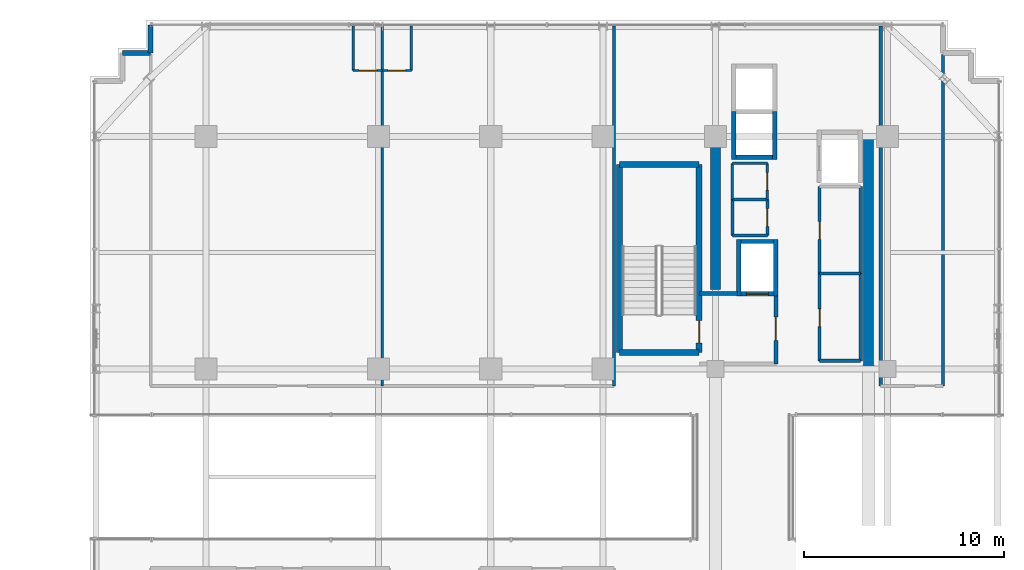
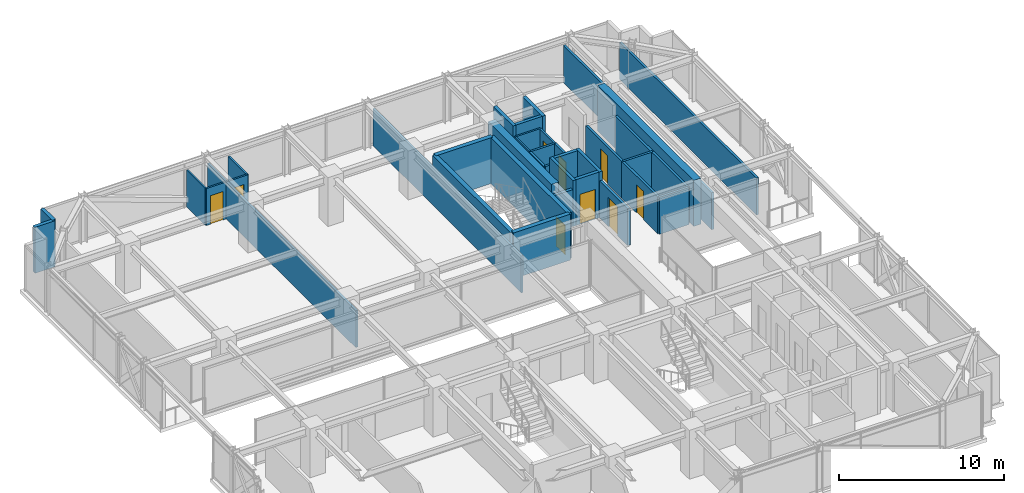
# One storey, part 30 of 35: 38 walls, 9 doors, 9 openings.
"""IFC4 building model written with IfcOpenShell, lengths in metres."""

from ifc_helpers import new_model, si_unit, direction, frame, frame_2d, origin, place, context, subcontext, project, spatial, rectangle, extrude, source, transform, mapped, material, layer, layer_set, type_object, element, fill, save


model = new_model("IFC4")

# Units and contexts
model_context = context("Model", 3, precision=1e-05, world=origin(), true_north=direction((0.0, 1.0)))
body_context = subcontext(model_context, "Body", "Model", "MODEL_VIEW")
ifc_project = project(units=[si_unit("LENGTHUNIT", "METRE"), si_unit("AREAUNIT", "SQUARE_METRE"), si_unit("VOLUMEUNIT", "CUBIC_METRE"), si_unit("PLANEANGLEUNIT", "RADIAN"), si_unit("MASSUNIT", "GRAM", prefix="KILO")], contexts=[model_context])

# Site, building, storey
site_placement = place(None, origin())
site = spatial("IfcSite", under=ifc_project, at=site_placement, CompositionType="ELEMENT")
building_placement = place(site_placement, origin())
building = spatial("IfcBuilding", under=site, at=building_placement, Name="Nahalor Promenade Grand Hotel", CompositionType="ELEMENT")
storey_placement = place(building_placement, frame((0.0, 0.0, 185.5)))
storey = spatial("IfcBuildingStorey", under=building, at=storey_placement, Name="L47", CompositionType="ELEMENT", Elevation=185.5)

# Walls
ifc_material_1 = material(Name="Concrete B-60 (C50/60)", Category="concrete")
ifc_layer_1 = layer(ifc_material_1, 0.5)
ifc_layer_set_1 = layer_set([ifc_layer_1], Name="Concrete B-60 (C50/60)")
wall_type_1 = type_object("IfcWallType", Name="Wall-CoreShear-500", PredefinedType="SHEAR", material=ifc_layer_set_1)
shared_shape_1 = source(origin(), body_context, "Body", "SweptSolid", [
    extrude(rectangle(XDim=7.64990234375, YDim=0.5, at=frame_2d((3.824951171875, 0.0))), origin(), (0.0, 0.0, 1.0), 3.389892578125),
])
wall_1_placement = place(storey_placement, frame((8.39990234375, 9.35009765625, 0.0), z_axis=(0.0, 0.0, 1.0), x_axis=(0.0, 1.0, 0.0)))
element("IfcWall", 1, at=wall_1_placement, inside=storey, type_object=wall_type_1, Name="CWALL-L47-NW", PredefinedType="SHEAR", context=body_context, shape_type="MappedRepresentation", body=[
    mapped(shared_shape_1, transform((0.0, 0.0, 0.0), scale=1.0)),
])
shared_shape_2 = source(origin(), body_context, "Body", "SweptSolid", [
    extrude(rectangle(XDim=11.60009765625, YDim=0.5, at=frame_2d((5.800048828125, 0.0))), origin(), (0.0, 0.0, 1.0), 3.389892578125),
])
wall_2_placement = place(storey_placement, frame((16.050048828125, 5.39990234375, 0.0), z_axis=(0.0, 0.0, 1.0), x_axis=(0.0, 1.0, 0.0)))
element("IfcWall", 2, at=wall_2_placement, inside=storey, type_object=wall_type_1, Name="CWALL-L47-NE", PredefinedType="SHEAR", context=body_context, shape_type="MappedRepresentation", body=[
    mapped(shared_shape_2, transform((0.0, 0.0, 0.0), scale=1.0)),
])
ifc_material_2 = material(Name="Concrete B-50 (C40/50)", Category="concrete")
ifc_layer_2 = layer(ifc_material_2, 0.300048828125)
ifc_layer_set_2 = layer_set([ifc_layer_2], Name="Concrete B-50 (C40/50)")
wall_type_2 = type_object("IfcWallType", Name="Wall-ShaftShear-300", PredefinedType="SHEAR", material=ifc_layer_set_2)
shared_shape_3 = source(origin(), body_context, "Body", "SweptSolid", [
    extrude(rectangle(XDim=3.97998046875, YDim=0.300048828125, at=frame_2d((1.989990234375, 0.0))), origin(), (0.0, 0.0, 1.0), 3.389892578125),
])
for number, where, z_axis, x_axis, name in (
    (3, (3.610107421875, 6.2099609375, 0.0), (0.0, 0.0, 1.0), (1.0, 0.0, 0.0), "L47 Exit Stair ST1 Shaft Wall S"),
    (4, (3.610107421875, 15.590087890625, 0.0), (0.0, 0.0, 1.0), (1.0, 0.0, 0.0), "L47 Exit Stair ST1 Shaft Wall N"),
):
    element("IfcWall", number, at=place(storey_placement, frame(where, z_axis=z_axis, x_axis=x_axis)), inside=storey, type_object=wall_type_2, Name=name, PredefinedType="SHEAR", context=body_context, shape_type="MappedRepresentation", body=[
        mapped(shared_shape_3, transform((0.0, 0.0, 0.0), scale=1.0)),
    ])
shared_shape_4 = source(origin(), body_context, "Body", "SweptSolid", [
    extrude(rectangle(XDim=9.380126953125, YDim=0.300048828125, at=frame_2d((4.68994140625, 0.0))), origin(), (0.0, 0.0, 1.0), 3.389892578125),
])
wall_3_placement = place(storey_placement, frame((3.610107421875, 6.2099609375, 0.0), z_axis=(0.0, 0.0, 1.0), x_axis=(0.0, 1.0, 0.0)))
element("IfcWall", 5, at=wall_3_placement, inside=storey, type_object=wall_type_2, Name="L47 Exit Stair ST1 Shaft Wall W", PredefinedType="SHEAR", context=body_context, shape_type="MappedRepresentation", body=[
    mapped(shared_shape_4, transform((0.0, 0.0, 0.0), scale=1.0)),
])

# Wall, opening, door
wall_4_placement = place(storey_placement, frame((7.590087890625, 6.2099609375, 0.0), z_axis=(0.0, 0.0, 1.0), x_axis=(0.0, 1.0, 0.0)))
wall_4 = element("IfcWall", 6, at=wall_4_placement, inside=storey, type_object=wall_type_2, Name="L47 Exit Stair ST1 Shaft Wall E", PredefinedType="SHEAR", context=body_context, shape_type="MappedRepresentation", body=[
    mapped(shared_shape_4, transform((0.0, 0.0, 0.0), scale=1.0)),
])
opening_1_placement = place(wall_4_placement, frame((0.489990234375, 0.0, 0.0)))
opening_1 = element("IfcOpeningElement", 7, at=opening_1_placement, cuts=wall_4, Name="Opening D-ST1", PredefinedType="OPENING", context=body_context, shape_type="SweptSolid", body=[
    extrude(rectangle(XDim=1.10009765625, YDim=2.14990234375, at=frame_2d((0.550048828125, 1.074951171875))), frame((0.0, 0.159912109375, 0.0), z_axis=(0.0, -1.0, 0.0), x_axis=(1.0, 0.0, 0.0)), (0.0, 0.0, 1.0), 0.320068359375),
])
ifc_material_3 = material(Name="Steel S355JR", Category="steel")
door_type_1 = type_object("IfcDoorType", Name="Door-StairFire-1100", OperationType="NOTDEFINED", PredefinedType="DOOR", material=ifc_material_3)
shared_shape_5 = source(origin(), body_context, "Body", "SweptSolid", [
    extrude(rectangle(XDim=1.10009765625, YDim=2.14990234375, at=frame_2d((0.550048828125, 1.074951171875))), frame((0.0, 0.02490234375, 0.0), z_axis=(0.0, -1.0, 0.0), x_axis=(1.0, 0.0, 0.0)), (0.0, 0.0, 1.0), 0.050048828125),
])
door_1_placement = place(opening_1_placement, origin())
door_1 = element("IfcDoor", 8, at=door_1_placement, inside=storey, type_object=door_type_1, Name="DR-STAIR-ST1-L47", OperationType="SINGLE_SWING_RIGHT", OverallHeight=2.14990234375, OverallWidth=1.10009765625, PredefinedType="DOOR", context=body_context, shape_type="MappedRepresentation", body=[
    mapped(shared_shape_5, transform((0.0, 0.0, 0.0), scale=1.0)),
])
fill(opening_1, door_1)

# Walls
ifc_layer_3 = layer(ifc_material_2, 0.219970703125)
ifc_layer_set_3 = layer_set([ifc_layer_3], Name="Concrete B-50 (C40/50)")
wall_type_3 = type_object("IfcWallType", Name="Wall-LiftShaft-220", PredefinedType="SHEAR", material=ifc_layer_set_3)
shared_shape_6 = source(origin(), body_context, "Body", "SweptSolid", [
    extrude(rectangle(XDim=1.820068359375, YDim=0.219970703125, at=frame_2d((0.91015625, 0.0))), origin(), (0.0, 0.0, 1.0), 3.389892578125),
])
wall_5_placement = place(storey_placement, frame((9.43994140625, 15.949951171875, 0.0), z_axis=(0.0, 0.0, 1.0), x_axis=(1.0, 0.0, 0.0)))
element("IfcWall", 9, at=wall_5_placement, inside=storey, type_object=wall_type_3, Name="L47 Lift OB1 Hoistway Wall S", PredefinedType="SHEAR", context=body_context, shape_type="MappedRepresentation", body=[
    mapped(shared_shape_6, transform((0.0, 0.0, 0.0), scale=1.0)),
])
shared_shape_7 = source(origin(), body_context, "Body", "SweptSolid", [
    extrude(rectangle(XDim=2.385009765625, YDim=0.219970703125, at=frame_2d((1.1923828125, 0.0))), origin(), (0.0, 0.0, 1.0), 3.389892578125),
])
for number, where, z_axis, x_axis, name in (
    (10, (9.330078125, 15.840087890625, 0.0), (0.0, 0.0, 1.0), (0.0, 1.0, 0.0), "L47 Lift OB1 Hoistway Wall W"),
    (11, (11.3701171875, 15.840087890625, 0.0), (0.0, 0.0, 1.0), (0.0, 1.0, 0.0), "L47 Lift OB1 Hoistway Wall E"),
):
    element("IfcWall", number, at=place(storey_placement, frame(where, z_axis=z_axis, x_axis=x_axis)), inside=storey, type_object=wall_type_3, Name=name, PredefinedType="SHEAR", context=body_context, shape_type="MappedRepresentation", body=[
        mapped(shared_shape_7, transform((0.0, 0.0, 0.0), scale=1.0)),
    ])
shared_shape_8 = source(origin(), body_context, "Body", "SweptSolid", [
    extrude(rectangle(XDim=2.820068359375, YDim=0.219970703125, at=frame_2d((1.41015625, 0.0))), origin(), (0.0, 0.0, 1.0), 3.389892578125),
])
for number, where, z_axis, x_axis, name in (
    (12, (9.580078125, 9.0400390625, 0.0), (0.0, 0.0, 1.0), (0.0, 1.0, 0.0), "L47 Lift FL1 Hoistway Wall W"),
    (13, (11.419921875, 9.0400390625, 0.0), (0.0, 0.0, 1.0), (0.0, 1.0, 0.0), "L47 Lift FL1 Hoistway Wall E"),
):
    element("IfcWall", number, at=place(storey_placement, frame(where, z_axis=z_axis, x_axis=x_axis)), inside=storey, type_object=wall_type_3, Name=name, PredefinedType="SHEAR", context=body_context, shape_type="MappedRepresentation", body=[
        mapped(shared_shape_8, transform((0.0, 0.0, 0.0), scale=1.0)),
    ])

# Wall, opening, door
shared_shape_9 = source(origin(), body_context, "Body", "SweptSolid", [
    extrude(rectangle(XDim=1.6201171875, YDim=0.219970703125, at=frame_2d((0.81005859375, 0.0))), origin(), (0.0, 0.0, 1.0), 3.389892578125),
])
wall_6_placement = place(storey_placement, frame((9.68994140625, 9.14990234375, 0.0), z_axis=(0.0, 0.0, 1.0), x_axis=(1.0, 0.0, 0.0)))
wall_6 = element("IfcWall", 14, at=wall_6_placement, inside=storey, type_object=wall_type_3, Name="L47 Lift FL1 Hoistway Wall S", PredefinedType="SHEAR", context=body_context, shape_type="MappedRepresentation", body=[
    mapped(shared_shape_9, transform((0.0, 0.0, 0.0), scale=1.0)),
])
opening_2_placement = place(wall_6_placement, frame((0.260009765625, 0.0, 0.0)))
opening_2 = element("IfcOpeningElement", 15, at=opening_2_placement, cuts=wall_6, Name="Opening LD-02", PredefinedType="OPENING", context=body_context, shape_type="SweptSolid", body=[
    extrude(rectangle(XDim=1.10009765625, YDim=2.199951171875, at=frame_2d((0.550048828125, 1.10009765625))), frame((0.0, 0.119873046875, 0.0), z_axis=(0.0, -1.0, 0.0), x_axis=(1.0, 0.0, 0.0)), (0.0, 0.0, 1.0), 0.239990234375),
])
door_type_2 = type_object("IfcDoorType", Name="Door-LiftFF-1100", OperationType="DOUBLE_DOOR_SLIDING", PredefinedType="DOOR", material=ifc_material_3)
shared_shape_10 = source(origin(), body_context, "Body", "SweptSolid", [
    extrude(rectangle(XDim=1.10009765625, YDim=2.199951171875, at=frame_2d((0.550048828125, 1.10009765625))), frame((0.0, 0.02490234375, 0.0), z_axis=(0.0, -1.0, 0.0), x_axis=(1.0, 0.0, 0.0)), (0.0, 0.0, 1.0), 0.050048828125),
])
door_2_placement = place(opening_2_placement, frame((1.10009765625, 0.0, 0.0), z_axis=(0.0, 0.0, 1.0), x_axis=(-1.0, 0.0, 0.0)))
door_2 = element("IfcDoor", 16, at=door_2_placement, inside=storey, type_object=door_type_2, Name="DR-LIFT-FL1-L47", OperationType="DOUBLE_DOOR_SLIDING", OverallHeight=2.199951171875, OverallWidth=1.10009765625, PredefinedType="DOOR", context=body_context, shape_type="MappedRepresentation", body=[
    mapped(shared_shape_10, transform((0.0, 0.0, 0.0), scale=1.0)),
])
fill(opening_2, door_2)

# Walls
wall_7_placement = place(storey_placement, frame((9.68994140625, 11.75, 0.0), z_axis=(0.0, 0.0, 1.0), x_axis=(1.0, 0.0, 0.0)))
element("IfcWall", 17, at=wall_7_placement, inside=storey, type_object=wall_type_3, Name="L47 Lift FL1 Hoistway Wall N", PredefinedType="SHEAR", context=body_context, shape_type="MappedRepresentation", body=[
    mapped(shared_shape_9, transform((0.0, 0.0, 0.0), scale=1.0)),
])
ifc_material_4 = material(Name="Concrete B-40 (C32/40)", Category="concrete")
ifc_layer_4 = layer(ifc_material_4, 0.25)
ifc_layer_set_4 = layer_set([ifc_layer_4], Name="Concrete B-40 (C32/40)")
wall_type_4 = type_object("IfcWallType", Name="Wall-BronzePier-250", PredefinedType="STANDARD", material=ifc_layer_set_4)
shared_shape_11 = source(origin(), body_context, "Body", "SweptSolid", [
    extrude(rectangle(XDim=1.400146484375, YDim=0.25, at=frame_2d((0.7001953125, 0.0))), origin(), (0.0, 0.0, 1.0), 3.389892578125),
])
wall_8_placement = place(storey_placement, frame((-19.760009765625, 21.159912109375, 0.0), z_axis=(0.0, 0.0, 1.0), x_axis=(0.0, 1.0, 0.0)))
element("IfcWall", 18, at=wall_8_placement, inside=storey, type_object=wall_type_4, Name="W-L47-SR-09", PredefinedType="STANDARD", context=body_context, shape_type="MappedRepresentation", body=[
    mapped(shared_shape_11, transform((0.0, 0.0, 0.0), scale=1.0)),
])
shared_shape_12 = source(origin(), body_context, "Body", "SweptSolid", [
    extrude(rectangle(XDim=1.39990234375, YDim=0.25, at=frame_2d((0.699951171875, 0.0))), origin(), (0.0, 0.0, 1.0), 3.389892578125),
])
wall_9_placement = place(storey_placement, frame((-21.159912109375, 21.159912109375, 0.0), z_axis=(0.0, 0.0, 1.0), x_axis=(1.0, 0.0, 0.0)))
element("IfcWall", 19, at=wall_9_placement, inside=storey, type_object=wall_type_4, Name="W-L47-SR-10", PredefinedType="STANDARD", context=body_context, shape_type="MappedRepresentation", body=[
    mapped(shared_shape_12, transform((0.0, 0.0, 0.0), scale=1.0)),
])
ifc_layer_5 = layer(ifc_material_4, 0.199951171875)
ifc_layer_set_5 = layer_set([ifc_layer_5], Name="Concrete B-40 (C32/40)")
wall_type_5 = type_object("IfcWallType", Name="Wall-PartFire-200", PredefinedType="PARTITIONING", material=ifc_layer_set_5)
shared_shape_13 = source(origin(), body_context, "Body", "SweptSolid", [
    extrude(rectangle(XDim=1.89990234375, YDim=0.199951171875, at=frame_2d((0.949951171875, 0.0))), origin(), (0.0, 0.0, 1.0), 2.72998046875),
])
wall_10_placement = place(storey_placement, frame((7.60009765625, 9.14990234375, 0.0), z_axis=(0.0, 0.0, 1.0), x_axis=(1.0, 0.0, 0.0)))
element("IfcWall", 20, at=wall_10_placement, inside=storey, type_object=wall_type_5, Name="W-L47-FF1-N", PredefinedType="PARTITIONING", context=body_context, shape_type="MappedRepresentation", body=[
    mapped(shared_shape_13, transform((0.0, 0.0, 0.0), scale=1.0)),
])

# Wall, opening, door
shared_shape_14 = source(origin(), body_context, "Body", "SweptSolid", [
    extrude(rectangle(XDim=3.5, YDim=0.199951171875, at=frame_2d((1.75, 0.0))), origin(), (0.0, 0.0, 1.0), 2.72998046875),
])
wall_11_placement = place(storey_placement, frame((11.419921875, 5.64990234375, 0.0), z_axis=(0.0, 0.0, 1.0), x_axis=(0.0, 1.0, 0.0)))
wall_11 = element("IfcWall", 21, at=wall_11_placement, inside=storey, type_object=wall_type_5, Name="W-L47-FF1-E", PredefinedType="PARTITIONING", context=body_context, shape_type="MappedRepresentation", body=[
    mapped(shared_shape_14, transform((0.0, 0.0, 0.0), scale=1.0)),
])
opening_3_placement = place(wall_11_placement, frame((1.175048828125, 0.0, 0.0)))
opening_3 = element("IfcOpeningElement", 22, at=opening_3_placement, cuts=wall_11, Name="Opening D-FF1", PredefinedType="OPENING", context=body_context, shape_type="SweptSolid", body=[
    extrude(rectangle(XDim=1.14990234375, YDim=2.14990234375, at=frame_2d((0.574951171875, 1.074951171875))), frame((0.0, 0.10986328125, 0.0), z_axis=(0.0, -1.0, 0.0), x_axis=(1.0, 0.0, 0.0)), (0.0, 0.0, 1.0), 0.219970703125),
])
door_type_3 = type_object("IfcDoorType", Name="Door-FFLobby-1150", OperationType="NOTDEFINED", PredefinedType="DOOR", material=ifc_material_3)
shared_shape_15 = source(origin(), body_context, "Body", "SweptSolid", [
    extrude(rectangle(XDim=1.14990234375, YDim=2.14990234375, at=frame_2d((0.574951171875, 1.074951171875))), frame((0.0, 0.02490234375, 0.0), z_axis=(0.0, -1.0, 0.0), x_axis=(1.0, 0.0, 0.0)), (0.0, 0.0, 1.0), 0.050048828125),
])
door_3_placement = place(opening_3_placement, frame((1.14990234375, 0.0, 0.0), z_axis=(0.0, 0.0, 1.0), x_axis=(-1.0, 0.0, 0.0)))
door_3 = element("IfcDoor", 23, at=door_3_placement, inside=storey, type_object=door_type_3, Name="DR-L47-FFL1", OperationType="SINGLE_SWING_LEFT", OverallHeight=2.14990234375, OverallWidth=1.14990234375, PredefinedType="DOOR", context=body_context, shape_type="MappedRepresentation", body=[
    mapped(shared_shape_15, transform((0.0, 0.0, 0.0), scale=1.0)),
])
fill(opening_3, door_3)

# Walls
ifc_material_5 = material(Name="Acoustic Mineral Gypsum", Category="gypsum")
ifc_layer_6 = layer(ifc_material_5, 0.14990234375)
ifc_layer_set_6 = layer_set([ifc_layer_6], Name="Acoustic Mineral Gypsum")
wall_type_6 = type_object("IfcWallType", Name="Wall-PartService-150", PredefinedType="PARTITIONING", material=ifc_layer_set_6)
shared_shape_16 = source(origin(), body_context, "Body", "SweptSolid", [
    extrude(rectangle(XDim=1.75, YDim=0.14990234375, at=frame_2d((0.875, 0.0))), origin(), (0.0, 0.0, 1.0), 2.72998046875),
])
for number, where, z_axis, x_axis, name in (
    (24, (9.25, 12.050048828125, 0.0), (0.0, 0.0, 1.0), (1.0, 0.0, 0.0), "W-L47-CK2A-S"),
    (25, (9.25, 13.85009765625, 0.0), (0.0, 0.0, 1.0), (1.0, 0.0, 0.0), "W-L47-CK2A-N"),
):
    element("IfcWall", number, at=place(storey_placement, frame(where, z_axis=z_axis, x_axis=x_axis)), inside=storey, type_object=wall_type_6, Name=name, PredefinedType="PARTITIONING", context=body_context, shape_type="MappedRepresentation", body=[
        mapped(shared_shape_16, transform((0.0, 0.0, 0.0), scale=1.0)),
    ])
ifc_layer_7 = layer(ifc_material_5, 0.159912109375)
ifc_layer_set_7 = layer_set([ifc_layer_7], Name="Acoustic Mineral Gypsum")
wall_type_7 = type_object("IfcWallType", Name="Wall-PartCorridor-160", PredefinedType="PARTITIONING", material=ifc_layer_set_7)
shared_shape_17 = source(origin(), body_context, "Body", "SweptSolid", [
    extrude(rectangle(XDim=2.0498046875, YDim=0.159912109375, at=frame_2d((1.02490234375, 0.0))), origin(), (0.0, 0.0, 1.0), 2.72998046875),
])
for number, where, z_axis, x_axis, name in (
    (26, (13.60009765625, 5.800048828125, 0.0), (0.0, 0.0, 1.0), (1.0, 0.0, 0.0), "W-L47-FRB1A-S"),
    (27, (13.60009765625, 10.14990234375, 0.0), (0.0, 0.0, 1.0), (1.0, 0.0, 0.0), "W-L47-FRB1A-N"),
):
    element("IfcWall", number, at=place(storey_placement, frame(where, z_axis=z_axis, x_axis=x_axis)), inside=storey, type_object=wall_type_7, Name=name, PredefinedType="PARTITIONING", context=body_context, shape_type="MappedRepresentation", body=[
        mapped(shared_shape_17, transform((0.0, 0.0, 0.0), scale=1.0)),
    ])
shared_shape_18 = source(origin(), body_context, "Body", "SweptSolid", [
    extrude(rectangle(XDim=17.949951171875, YDim=0.159912109375, at=frame_2d((8.97509765625, 0.0))), origin(), (0.0, 0.0, 1.0), 2.72998046875),
])
wall_12_placement = place(storey_placement, frame((16.64990234375, 4.550048828125, 0.0), z_axis=(0.0, 0.0, 1.0), x_axis=(0.0, 1.0, 0.0)))
element("IfcWall", 28, at=wall_12_placement, inside=storey, type_object=wall_type_7, Name="W-L47-ENE-W", PredefinedType="PARTITIONING", context=body_context, shape_type="MappedRepresentation", body=[
    mapped(shared_shape_18, transform((0.0, 0.0, 0.0), scale=1.0)),
])
shared_shape_19 = source(origin(), body_context, "Body", "SweptSolid", [
    extrude(rectangle(XDim=16.530029296875, YDim=0.159912109375, at=frame_2d((8.26513671875, 0.0))), origin(), (0.0, 0.0, 1.0), 2.72998046875),
])
wall_13_placement = place(storey_placement, frame((19.760009765625, 4.550048828125, 0.0), z_axis=(0.0, 0.0, 1.0), x_axis=(0.0, 1.0, 0.0)))
element("IfcWall", 29, at=wall_13_placement, inside=storey, type_object=wall_type_7, Name="W-L47-ENE-E", PredefinedType="PARTITIONING", context=body_context, shape_type="MappedRepresentation", body=[
    mapped(shared_shape_19, transform((0.0, 0.0, 0.0), scale=1.0)),
])

# Wall, opening, door
ifc_layer_8 = layer(ifc_material_5, 0.1201171875)
ifc_layer_set_8 = layer_set([ifc_layer_8], Name="Acoustic Mineral Gypsum")
wall_type_8 = type_object("IfcWallType", Name="Wall-PartBath-120", PredefinedType="PARTITIONING", material=ifc_layer_set_8)
shared_shape_20 = source(origin(), body_context, "Body", "SweptSolid", [
    extrude(rectangle(XDim=1.449951171875, YDim=0.1201171875, at=frame_2d((0.72509765625, 0.0))), origin(), (0.0, 0.0, 1.0), 2.72998046875),
])
wall_14_placement = place(storey_placement, frame((-9.659912109375, 20.280029296875, 0.0), z_axis=(0.0, 0.0, 1.0), x_axis=(1.0, 0.0, 0.0)))
wall_14 = element("IfcWall", 30, at=wall_14_placement, inside=storey, type_object=wall_type_8, Name="W-L47-N1-BH", PredefinedType="PARTITIONING", context=body_context, shape_type="MappedRepresentation", body=[
    mapped(shared_shape_20, transform((0.0, 0.0, 0.0), scale=1.0)),
])
opening_4_placement = place(wall_14_placement, frame((0.284912109375, 0.0, 0.0)))
opening_4 = element("IfcOpeningElement", 31, at=opening_4_placement, cuts=wall_14, Name="Opening D-03", PredefinedType="OPENING", context=body_context, shape_type="SweptSolid", body=[
    extrude(rectangle(XDim=0.8798828125, YDim=2.10009765625, at=frame_2d((0.43994140625, 1.050048828125))), frame((0.0, 0.070068359375, 0.0), z_axis=(0.0, -1.0, 0.0), x_axis=(1.0, 0.0, 0.0)), (0.0, 0.0, 1.0), 0.14013671875),
])
ifc_material_6 = material(Name="Fire-Rated Timber Composite", Category="wood")
door_type_4 = type_object("IfcDoorType", Name="Door-BathSwing-880", OperationType="NOTDEFINED", PredefinedType="DOOR", material=ifc_material_6)
shared_shape_21 = source(origin(), body_context, "Body", "SweptSolid", [
    extrude(rectangle(XDim=0.8798828125, YDim=2.10009765625, at=frame_2d((0.43994140625, 1.050048828125))), frame((0.0, 0.02490234375, 0.0), z_axis=(0.0, -1.0, 0.0), x_axis=(1.0, 0.0, 0.0)), (0.0, 0.0, 1.0), 0.050048828125),
])
door_4_placement = place(opening_4_placement, origin())
door_4 = element("IfcDoor", 32, at=door_4_placement, inside=storey, type_object=door_type_4, Name="DR-L47-N1-BATH", OperationType="SINGLE_SWING_LEFT", OverallHeight=2.10009765625, OverallWidth=0.8798828125, PredefinedType="DOOR", context=body_context, shape_type="MappedRepresentation", body=[
    mapped(shared_shape_21, transform((0.0, 0.0, 0.0), scale=1.0)),
])
fill(opening_4, door_4)

wall_15_placement = place(storey_placement, frame((-8.2099609375, 20.280029296875, 0.0), z_axis=(0.0, 0.0, 1.0), x_axis=(1.0, 0.0, 0.0)))
wall_15 = element("IfcWall", 33, at=wall_15_placement, inside=storey, type_object=wall_type_8, Name="W-L47-N2-BH", PredefinedType="PARTITIONING", context=body_context, shape_type="MappedRepresentation", body=[
    mapped(shared_shape_20, transform((0.0, 0.0, 0.0), scale=1.0)),
])
opening_5_placement = place(wall_15_placement, frame((0.284912109375, 0.0, 0.0)))
opening_5 = element("IfcOpeningElement", 34, at=opening_5_placement, cuts=wall_15, Name="Opening D-03", PredefinedType="OPENING", context=body_context, shape_type="SweptSolid", body=[
    extrude(rectangle(XDim=0.8798828125, YDim=2.10009765625, at=frame_2d((0.43994140625, 1.050048828125))), frame((0.0, 0.070068359375, 0.0), z_axis=(0.0, -1.0, 0.0), x_axis=(1.0, 0.0, 0.0)), (0.0, 0.0, 1.0), 0.14013671875),
])
door_5_placement = place(opening_5_placement, origin())
door_5 = element("IfcDoor", 35, at=door_5_placement, inside=storey, type_object=door_type_4, Name="DR-L47-N2-BATH", OperationType="SINGLE_SWING_RIGHT", OverallHeight=2.10009765625, OverallWidth=0.8798828125, PredefinedType="DOOR", context=body_context, shape_type="MappedRepresentation", body=[
    mapped(shared_shape_21, transform((0.0, 0.0, 0.0), scale=1.0)),
])
fill(opening_5, door_5)

# Walls
shared_shape_22 = source(origin(), body_context, "Body", "SweptSolid", [
    extrude(rectangle(XDim=2.219970703125, YDim=0.1201171875, at=frame_2d((1.10986328125, 0.0))), origin(), (0.0, 0.0, 1.0), 2.72998046875),
])
for number, where, z_axis, x_axis, name in (
    (36, (-9.659912109375, 20.280029296875, 0.0), (0.0, 0.0, 1.0), (0.0, 1.0, 0.0), "W-L47-N1-BV"),
    (37, (-6.760009765625, 20.280029296875, 0.0), (0.0, 0.0, 1.0), (0.0, 1.0, 0.0), "W-L47-N2-BV"),
):
    element("IfcWall", number, at=place(storey_placement, frame(where, z_axis=z_axis, x_axis=x_axis)), inside=storey, type_object=wall_type_8, Name=name, PredefinedType="PARTITIONING", context=body_context, shape_type="MappedRepresentation", body=[
        mapped(shared_shape_22, transform((0.0, 0.0, 0.0), scale=1.0)),
    ])
ifc_layer_9 = layer(ifc_material_5, 0.139892578125)
ifc_layer_set_9 = layer_set([ifc_layer_9], Name="Acoustic Mineral Gypsum")
wall_type_9 = type_object("IfcWallType", Name="Wall-PartSuite-140", PredefinedType="PARTITIONING", material=ifc_layer_set_9)
shared_shape_23 = source(origin(), body_context, "Body", "SweptSolid", [
    extrude(rectangle(XDim=17.949951171875, YDim=0.139892578125, at=frame_2d((8.97509765625, 0.0))), origin(), (0.0, 0.0, 1.0), 2.72998046875),
])
for number, where, z_axis, x_axis, name in (
    (38, (3.340087890625, 4.550048828125, 0.0), (0.0, 0.0, 1.0), (0.0, 1.0, 0.0), "W-L47-NW-ENDE"),
    (39, (-8.2099609375, 4.550048828125, 0.0), (0.0, 0.0, 1.0), (0.0, 1.0, 0.0), "W-L47-NP-1"),
):
    element("IfcWall", number, at=place(storey_placement, frame(where, z_axis=z_axis, x_axis=x_axis)), inside=storey, type_object=wall_type_9, Name=name, PredefinedType="PARTITIONING", context=body_context, shape_type="MappedRepresentation", body=[
        mapped(shared_shape_23, transform((0.0, 0.0, 0.0), scale=1.0)),
    ])
shared_shape_24 = source(origin(), body_context, "Body", "SweptSolid", [
    extrude(rectangle(XDim=1.800048828125, YDim=0.14990234375, at=frame_2d((0.89990234375, 0.0))), origin(), (0.0, 0.0, 1.0), 2.72998046875),
])
wall_16_placement = place(storey_placement, frame((9.25, 12.050048828125, 0.0), z_axis=(0.0, 0.0, 1.0), x_axis=(0.0, 1.0, 0.0)))
element("IfcWall", 40, at=wall_16_placement, inside=storey, type_object=wall_type_6, Name="W-L47-CK2A-W", PredefinedType="PARTITIONING", context=body_context, shape_type="MappedRepresentation", body=[
    mapped(shared_shape_24, transform((0.0, 0.0, 0.0), scale=1.0)),
])

# Wall, opening, door
wall_17_placement = place(storey_placement, frame((11.0, 12.050048828125, 0.0), z_axis=(0.0, 0.0, 1.0), x_axis=(0.0, 1.0, 0.0)))
wall_17 = element("IfcWall", 41, at=wall_17_placement, inside=storey, type_object=wall_type_6, Name="W-L47-CK2A-E", PredefinedType="PARTITIONING", context=body_context, shape_type="MappedRepresentation", body=[
    mapped(shared_shape_24, transform((0.0, 0.0, 0.0), scale=1.0)),
])
opening_6_placement = place(wall_17_placement, frame((0.4599609375, 0.0, 0.0)))
opening_6 = element("IfcOpeningElement", 42, at=opening_6_placement, cuts=wall_17, Name="Opening D-03", PredefinedType="OPENING", context=body_context, shape_type="SweptSolid", body=[
    extrude(rectangle(XDim=0.8798828125, YDim=2.10009765625, at=frame_2d((0.43994140625, 1.050048828125))), frame((0.0, 0.0849609375, 0.0), z_axis=(0.0, -1.0, 0.0), x_axis=(1.0, 0.0, 0.0)), (0.0, 0.0, 1.0), 0.169921875),
])
door_6_placement = place(opening_6_placement, origin())
door_6 = element("IfcDoor", 43, at=door_6_placement, inside=storey, type_object=door_type_4, Name="DR-L47-CK2A", OperationType="SINGLE_SWING_LEFT", OverallHeight=2.10009765625, OverallWidth=0.8798828125, PredefinedType="DOOR", context=body_context, shape_type="MappedRepresentation", body=[
    mapped(shared_shape_21, transform((0.0, 0.0, 0.0), scale=1.0)),
])
fill(opening_6, door_6)

# Walls
shared_shape_25 = source(origin(), body_context, "Body", "SweptSolid", [
    extrude(rectangle(XDim=1.75, YDim=0.1201171875, at=frame_2d((0.875, 0.0))), origin(), (0.0, 0.0, 1.0), 2.72998046875),
])
wall_18_placement = place(storey_placement, frame((9.25, 15.64990234375, 0.0), z_axis=(0.0, 0.0, 1.0), x_axis=(1.0, 0.0, 0.0)))
element("IfcWall", 44, at=wall_18_placement, inside=storey, type_object=wall_type_8, Name="W-L47-CK2B-N", PredefinedType="PARTITIONING", context=body_context, shape_type="MappedRepresentation", body=[
    mapped(shared_shape_25, transform((0.0, 0.0, 0.0), scale=1.0)),
])
shared_shape_26 = source(origin(), body_context, "Body", "SweptSolid", [
    extrude(rectangle(XDim=1.7998046875, YDim=0.1201171875, at=frame_2d((0.89990234375, 0.0))), origin(), (0.0, 0.0, 1.0), 2.72998046875),
])
wall_19_placement = place(storey_placement, frame((9.25, 13.85009765625, 0.0), z_axis=(0.0, 0.0, 1.0), x_axis=(0.0, 1.0, 0.0)))
element("IfcWall", 45, at=wall_19_placement, inside=storey, type_object=wall_type_8, Name="W-L47-CK2B-W", PredefinedType="PARTITIONING", context=body_context, shape_type="MappedRepresentation", body=[
    mapped(shared_shape_26, transform((0.0, 0.0, 0.0), scale=1.0)),
])

# Wall, opening, door
wall_20_placement = place(storey_placement, frame((11.0, 13.85009765625, 0.0), z_axis=(0.0, 0.0, 1.0), x_axis=(0.0, 1.0, 0.0)))
wall_20 = element("IfcWall", 46, at=wall_20_placement, inside=storey, type_object=wall_type_8, Name="W-L47-CK2B-E", PredefinedType="PARTITIONING", context=body_context, shape_type="MappedRepresentation", body=[
    mapped(shared_shape_26, transform((0.0, 0.0, 0.0), scale=1.0)),
])
opening_7_placement = place(wall_20_placement, frame((0.4599609375, 0.0, 0.0)))
opening_7 = element("IfcOpeningElement", 47, at=opening_7_placement, cuts=wall_20, Name="Opening D-03", PredefinedType="OPENING", context=body_context, shape_type="SweptSolid", body=[
    extrude(rectangle(XDim=0.8798828125, YDim=2.10009765625, at=frame_2d((0.43994140625, 1.050048828125))), frame((0.0, 0.070068359375, 0.0), z_axis=(0.0, -1.0, 0.0), x_axis=(1.0, 0.0, 0.0)), (0.0, 0.0, 1.0), 0.14013671875),
])
door_7_placement = place(opening_7_placement, origin())
door_7 = element("IfcDoor", 48, at=door_7_placement, inside=storey, type_object=door_type_4, Name="DR-L47-CK2B", OperationType="SINGLE_SWING_RIGHT", OverallHeight=2.10009765625, OverallWidth=0.8798828125, PredefinedType="DOOR", context=body_context, shape_type="MappedRepresentation", body=[
    mapped(shared_shape_21, transform((0.0, 0.0, 0.0), scale=1.0)),
])
fill(opening_7, door_7)

shared_shape_27 = source(origin(), body_context, "Body", "SweptSolid", [
    extrude(rectangle(XDim=4.349853515625, YDim=0.159912109375, at=frame_2d((2.1748046875, 0.0))), origin(), (0.0, 0.0, 1.0), 2.72998046875),
])
wall_21_placement = place(storey_placement, frame((13.60009765625, 5.800048828125, 0.0), z_axis=(0.0, 0.0, 1.0), x_axis=(0.0, 1.0, 0.0)))
wall_21 = element("IfcWall", 49, at=wall_21_placement, inside=storey, type_object=wall_type_7, Name="W-L47-FRB1A-W", PredefinedType="PARTITIONING", context=body_context, shape_type="MappedRepresentation", body=[
    mapped(shared_shape_27, transform((0.0, 0.0, 0.0), scale=1.0)),
])
opening_8_placement = place(wall_21_placement, frame((1.7099609375, 0.0, 0.0)))
opening_8 = element("IfcOpeningElement", 50, at=opening_8_placement, cuts=wall_21, Name="Opening D-03", PredefinedType="OPENING", context=body_context, shape_type="SweptSolid", body=[
    extrude(rectangle(XDim=0.8798828125, YDim=2.10009765625, at=frame_2d((0.43994140625, 1.050048828125))), frame((0.0, 0.08984375, 0.0), z_axis=(0.0, -1.0, 0.0), x_axis=(1.0, 0.0, 0.0)), (0.0, 0.0, 1.0), 0.179931640625),
])
door_8_placement = place(opening_8_placement, frame((0.8798828125, 0.0, 0.0), z_axis=(0.0, 0.0, 1.0), x_axis=(-1.0, 0.0, 0.0)))
door_8 = element("IfcDoor", 51, at=door_8_placement, inside=storey, type_object=door_type_4, Name="DR-L47-FRB1A", OperationType="SINGLE_SWING_LEFT", OverallHeight=2.10009765625, OverallWidth=0.8798828125, PredefinedType="DOOR", context=body_context, shape_type="MappedRepresentation", body=[
    mapped(shared_shape_21, transform((0.0, 0.0, 0.0), scale=1.0)),
])
fill(opening_8, door_8)

# Wall
wall_22_placement = place(storey_placement, frame((15.64990234375, 5.800048828125, 0.0), z_axis=(0.0, 0.0, 1.0), x_axis=(0.0, 1.0, 0.0)))
element("IfcWall", 52, at=wall_22_placement, inside=storey, type_object=wall_type_7, Name="W-L47-FRB1A-E", PredefinedType="PARTITIONING", context=body_context, shape_type="MappedRepresentation", body=[
    mapped(shared_shape_27, transform((0.0, 0.0, 0.0), scale=1.0)),
])

# Wall, opening, door
shared_shape_28 = source(origin(), body_context, "Body", "SweptSolid", [
    extrude(rectangle(XDim=4.35009765625, YDim=0.159912109375, at=frame_2d((2.175048828125, 0.0))), origin(), (0.0, 0.0, 1.0), 2.72998046875),
])
wall_23_placement = place(storey_placement, frame((13.60009765625, 10.14990234375, 0.0), z_axis=(0.0, 0.0, 1.0), x_axis=(0.0, 1.0, 0.0)))
wall_23 = element("IfcWall", 53, at=wall_23_placement, inside=storey, type_object=wall_type_7, Name="W-L47-FRB1B-W", PredefinedType="PARTITIONING", context=body_context, shape_type="MappedRepresentation", body=[
    mapped(shared_shape_28, transform((0.0, 0.0, 0.0), scale=1.0)),
])
opening_9_placement = place(wall_23_placement, frame((1.7099609375, 0.0, 0.0)))
opening_9 = element("IfcOpeningElement", 54, at=opening_9_placement, cuts=wall_23, Name="Opening D-03", PredefinedType="OPENING", context=body_context, shape_type="SweptSolid", body=[
    extrude(rectangle(XDim=0.8798828125, YDim=2.10009765625, at=frame_2d((0.43994140625, 1.050048828125))), frame((0.0, 0.08984375, 0.0), z_axis=(0.0, -1.0, 0.0), x_axis=(1.0, 0.0, 0.0)), (0.0, 0.0, 1.0), 0.179931640625),
])
door_9_placement = place(opening_9_placement, frame((0.8798828125, 0.0, 0.0), z_axis=(0.0, 0.0, 1.0), x_axis=(-1.0, 0.0, 0.0)))
door_9 = element("IfcDoor", 55, at=door_9_placement, inside=storey, type_object=door_type_4, Name="DR-L47-FRB1B", OperationType="SINGLE_SWING_RIGHT", OverallHeight=2.10009765625, OverallWidth=0.8798828125, PredefinedType="DOOR", context=body_context, shape_type="MappedRepresentation", body=[
    mapped(shared_shape_21, transform((0.0, 0.0, 0.0), scale=1.0)),
])
fill(opening_9, door_9)

# Wall
wall_24_placement = place(storey_placement, frame((15.64990234375, 10.14990234375, 0.0), z_axis=(0.0, 0.0, 1.0), x_axis=(0.0, 1.0, 0.0)))
element("IfcWall", 56, at=wall_24_placement, inside=storey, type_object=wall_type_7, Name="W-L47-FRB1B-E", PredefinedType="PARTITIONING", context=body_context, shape_type="MappedRepresentation", body=[
    mapped(shared_shape_28, transform((0.0, 0.0, 0.0), scale=1.0)),
])

save(model, "model.ifc")
